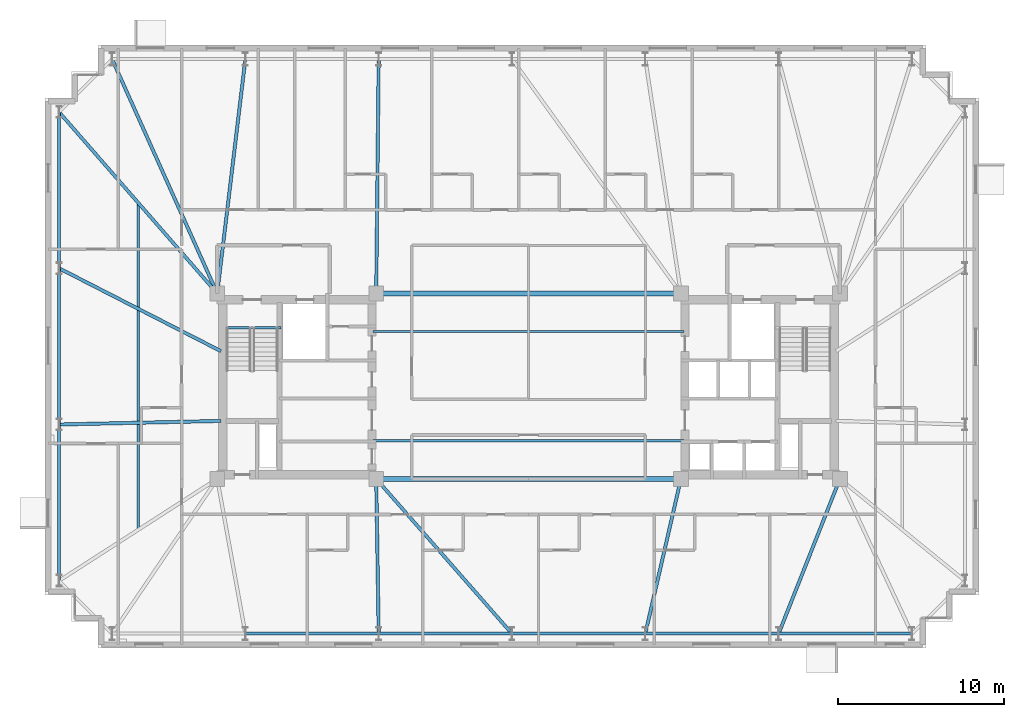
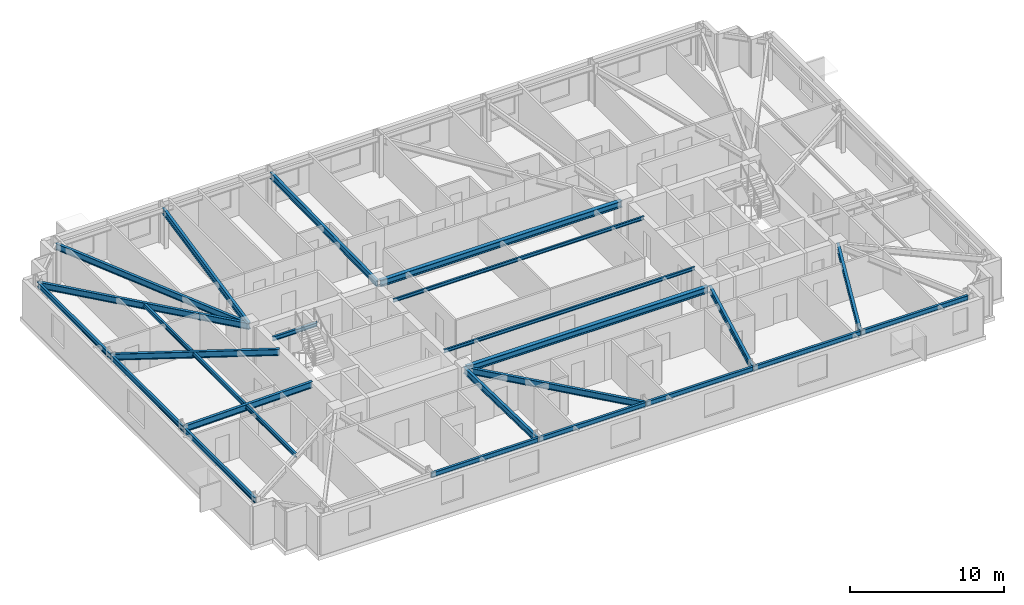
# One storey, part 4 of 17: 24 beams.
"""IFC4 building model written with IfcOpenShell, lengths in metres."""

from ifc_helpers import new_model, si_unit, direction, frame, origin, origin_2d, place, context, subcontext, project, spatial, i_section, extrude, material, material_profile, profile_set, type_object, element, save


model = new_model("IFC4")

# Units and contexts
model_context = context("Model", 3, precision=1e-05, world=origin(), true_north=direction((0.0, 1.0)))
body_context = subcontext(model_context, "Body", "Model", "MODEL_VIEW")
ifc_project = project(units=[si_unit("LENGTHUNIT", "METRE"), si_unit("AREAUNIT", "SQUARE_METRE"), si_unit("VOLUMEUNIT", "CUBIC_METRE"), si_unit("PLANEANGLEUNIT", "RADIAN"), si_unit("MASSUNIT", "GRAM", prefix="KILO")], contexts=[model_context])

# Site, building, storey
site_placement = place(None, origin())
site = spatial("IfcSite", under=ifc_project, at=site_placement, CompositionType="ELEMENT")
building_placement = place(site_placement, origin())
building = spatial("IfcBuilding", under=site, at=building_placement, Name="Qobustan Lattice House", CompositionType="ELEMENT")
storey_placement = place(building_placement, frame((0.0, 0.0, 144.39990234375)))
storey = spatial("IfcBuildingStorey", under=building, at=storey_placement, Name="L40", CompositionType="ELEMENT", Elevation=144.39990234375)

# Beams
ifc_material_1 = material(Name="Steel S355", Category="steel")
ifc_material_profile_1 = material_profile(ifc_material_1, i_section(OverallWidth=0.300048828125, OverallDepth=0.5, WebThickness=0.014404296875, FlangeThickness=0.028076171875, FilletRadius=0.027099609375, at=origin_2d()), Name="HEB500")
ifc_profile_set_1 = profile_set([ifc_material_profile_1], Name="Steel S355")
beam_type_1 = type_object("IfcBeamType", Name="BM-CG-HEB500", PredefinedType="USERDEFINED", material=ifc_profile_set_1)
for number, where, z_axis, x_axis, name in (
    (1, (-9.050048828125, -5.60009765625, 2.7900390625), (1.0, 0.0, 0.0), (0.0, 1.0, 0.0), "L40 core spine girder CG-CS"),
    (2, (-9.050048828125, 5.60009765625, 2.7900390625), (1.0, 0.0, 0.0), (0.0, 1.0, 0.0), "L40 core spine girder CG-CN"),
):
    element("IfcBeam", number, at=place(storey_placement, frame(where, z_axis=z_axis, x_axis=x_axis)), inside=storey, type_object=beam_type_1, Name=name, ObjectType="GIRDER", PredefinedType="USERDEFINED", context=body_context, shape_type="SweptSolid", body=[
        extrude(i_section(OverallWidth=0.300048828125, OverallDepth=0.5, WebThickness=0.014404296875, FlangeThickness=0.028076171875, FilletRadius=0.027099609375, at=origin_2d()), origin(), (0.0, 0.0, 1.0), 18.10009765625),
    ])
ifc_material_2 = material(Name="Steel S355", Category="steel")
ifc_material_profile_2 = material_profile(ifc_material_2, i_section(OverallWidth=0.199951171875, OverallDepth=0.5, WebThickness=0.01025390625, FlangeThickness=0.01611328125, FilletRadius=0.02099609375, at=origin_2d()), Name="IPE500")
ifc_profile_set_2 = profile_set([ifc_material_profile_2], Name="Steel S355")
beam_type_2 = type_object("IfcBeamType", Name="BM-FLG-IPE500", PredefinedType="USERDEFINED", material=ifc_profile_set_2)
beam_1_placement = place(storey_placement, frame((-9.05029296875, -14.925048828125, 2.7900390625), z_axis=(-0.016063870849, 0.999870967702, 0.0), x_axis=(-0.999870967702, -0.016063870849, 0.0)))
element("IfcBeam", 3, at=beam_1_placement, inside=storey, type_object=beam_type_2, Name="L40 primary floor girder RAD-S3", ObjectType="GIRDER", PredefinedType="USERDEFINED", context=body_context, shape_type="SweptSolid", body=[
    extrude(i_section(OverallWidth=0.199951171875, OverallDepth=0.5, WebThickness=0.01025390625, FlangeThickness=0.01611328125, FilletRadius=0.02099609375, at=origin_2d()), origin(), (0.0, 0.0, 1.0), 9.30126953125),
])
beam_2_placement = place(storey_placement, frame((-1.0166015625, -14.93115234375, 2.7900390625), z_axis=(-0.659362380156, 0.751825279992, 0.0), x_axis=(-0.751825279992, -0.659362380156, 0.0)))
element("IfcBeam", 4, at=beam_2_placement, inside=storey, type_object=beam_type_2, Name="L40 primary floor girder RAD-S4", ObjectType="GIRDER", PredefinedType="USERDEFINED", context=body_context, shape_type="SweptSolid", body=[
    extrude(i_section(OverallWidth=0.199951171875, OverallDepth=0.5, WebThickness=0.01025390625, FlangeThickness=0.01611328125, FilletRadius=0.02099609375, at=origin_2d()), origin(), (0.0, 0.0, 1.0), 12.38623046875),
])
beam_3_placement = place(storey_placement, frame((7.0556640625, -14.925537109375, 2.7900390625), z_axis=(0.224091568854, 0.974568093449, 0.0), x_axis=(-0.974568093449, 0.224091568854, 0.0)))
element("IfcBeam", 5, at=beam_3_placement, inside=storey, type_object=beam_type_2, Name="L40 primary floor girder RAD-S5", ObjectType="GIRDER", PredefinedType="USERDEFINED", context=body_context, shape_type="SweptSolid", body=[
    extrude(i_section(OverallWidth=0.199951171875, OverallDepth=0.5, WebThickness=0.01025390625, FlangeThickness=0.01611328125, FilletRadius=0.02099609375, at=origin_2d()), origin(), (0.0, 0.0, 1.0), 9.543701171875),
])
beam_4_placement = place(storey_placement, frame((15.109130859375, -14.9267578125, 2.7900390625), z_axis=(0.367963628184, 0.929840184297, 0.0), x_axis=(-0.929840184297, 0.367963628184, 0.0)))
element("IfcBeam", 6, at=beam_4_placement, inside=storey, type_object=beam_type_2, Name="L40 primary floor girder RAD-S6", ObjectType="GIRDER", PredefinedType="USERDEFINED", context=body_context, shape_type="SweptSolid", body=[
    extrude(i_section(OverallWidth=0.199951171875, OverallDepth=0.5, WebThickness=0.01025390625, FlangeThickness=0.01611328125, FilletRadius=0.02099609375, at=origin_2d()), origin(), (0.0, 0.0, 1.0), 10.00537109375),
])
beam_5_placement = place(storey_placement, frame((-25.139892578125, 19.727294921875, 2.7900390625), z_axis=(0.409426782108, -0.912342978321, 0.0), x_axis=(0.912342978321, 0.409426782108, 0.0)))
element("IfcBeam", 7, at=beam_5_placement, inside=storey, type_object=beam_type_2, Name="L40 primary floor girder RAD-N7W", ObjectType="GIRDER", PredefinedType="USERDEFINED", context=body_context, shape_type="SweptSolid", body=[
    extrude(i_section(OverallWidth=0.199951171875, OverallDepth=0.5, WebThickness=0.01025390625, FlangeThickness=0.01611328125, FilletRadius=0.02099609375, at=origin_2d()), origin(), (0.0, 0.0, 1.0), 15.459716796875),
])
beam_6_placement = place(storey_placement, frame((-17.10302734375, 19.72509765625, 2.7900390625), z_axis=(-0.119287572963, -0.992859745854, 0.0), x_axis=(0.992859745854, -0.119287572963, 0.0)))
element("IfcBeam", 8, at=beam_6_placement, inside=storey, type_object=beam_type_2, Name="L40 primary floor girder RAD-N6", ObjectType="GIRDER", PredefinedType="USERDEFINED", context=body_context, shape_type="SweptSolid", body=[
    extrude(i_section(OverallWidth=0.199951171875, OverallDepth=0.5, WebThickness=0.01025390625, FlangeThickness=0.01611328125, FilletRadius=0.02099609375, at=origin_2d()), origin(), (0.0, 0.0, 1.0), 14.20166015625),
])
beam_7_placement = place(storey_placement, frame((-9.05029296875, 19.72509765625, 2.7900390625), z_axis=(-0.010596073732, -0.999943860035, 0.0), x_axis=(0.999943860035, -0.010596073732, 0.0)))
element("IfcBeam", 9, at=beam_7_placement, inside=storey, type_object=beam_type_2, Name="L40 primary floor girder RAD-N5", ObjectType="GIRDER", PredefinedType="USERDEFINED", context=body_context, shape_type="SweptSolid", body=[
    extrude(i_section(OverallWidth=0.199951171875, OverallDepth=0.5, WebThickness=0.01025390625, FlangeThickness=0.01611328125, FilletRadius=0.02099609375, at=origin_2d()), origin(), (0.0, 0.0, 1.0), 14.100830078125),
])
beam_8_placement = place(storey_placement, frame((-28.33349609375, 16.53125, 2.7900390625), z_axis=(0.657282573618, -0.75364422536, 0.0), x_axis=(0.75364422536, 0.657282573618, 0.0)))
element("IfcBeam", 10, at=beam_8_placement, inside=storey, type_object=beam_type_2, Name="L40 primary floor girder RAD-W1", ObjectType="GIRDER", PredefinedType="USERDEFINED", context=body_context, shape_type="SweptSolid", body=[
    extrude(i_section(OverallWidth=0.199951171875, OverallDepth=0.5, WebThickness=0.01025390625, FlangeThickness=0.01611328125, FilletRadius=0.02099609375, at=origin_2d()), origin(), (0.0, 0.0, 1.0), 14.4794921875),
])
beam_9_placement = place(storey_placement, frame((-28.32763671875, 7.105224609375, 2.7900390625), z_axis=(0.89014541584, -0.455676572426, 0.0), x_axis=(0.455676572426, 0.89014541584, 0.0)))
element("IfcBeam", 11, at=beam_9_placement, inside=storey, type_object=beam_type_2, Name="L40 primary floor girder RAD-W2", ObjectType="GIRDER", PredefinedType="USERDEFINED", context=body_context, shape_type="SweptSolid", body=[
    extrude(i_section(OverallWidth=0.199951171875, OverallDepth=0.5, WebThickness=0.01025390625, FlangeThickness=0.01611328125, FilletRadius=0.02099609375, at=origin_2d()), origin(), (0.0, 0.0, 1.0), 10.959228515625),
])
beam_10_placement = place(storey_placement, frame((-28.324951171875, -2.316162109375, 2.7900390625), z_axis=(0.999755655209, 0.022104974047, 0.0), x_axis=(-0.022104974047, 0.999755655209, 0.0)))
element("IfcBeam", 12, at=beam_10_placement, inside=storey, type_object=beam_type_2, Name="L40 primary floor girder RAD-W3", ObjectType="GIRDER", PredefinedType="USERDEFINED", context=body_context, shape_type="SweptSolid", body=[
    extrude(i_section(OverallWidth=0.199951171875, OverallDepth=0.5, WebThickness=0.01025390625, FlangeThickness=0.01611328125, FilletRadius=0.02099609375, at=origin_2d()), origin(), (0.0, 0.0, 1.0), 9.75244140625),
])
ifc_material_3 = material(Name="Steel S355", Category="steel")
ifc_material_profile_3 = material_profile(ifc_material_3, i_section(OverallWidth=0.135009765625, OverallDepth=0.27001953125, WebThickness=0.006591796875, FlangeThickness=0.01025390625, FilletRadius=0.014892578125, at=origin_2d()), Name="IPE270")
ifc_profile_set_3 = profile_set([ifc_material_profile_3], Name="Steel S355")
beam_type_3 = type_object("IfcBeamType", Name="BM-JST-IPE270", PredefinedType="JOIST", material=ifc_profile_set_3)
for number, where, z_axis, x_axis, name in (
    (13, (-9.39990234375, -3.300048828125, 2.905029296875), (1.0, 0.0, 0.0), (0.0, 1.0, 0.0), "L40 central span floor joist 1"),
    (14, (-9.39990234375, 3.300048828125, 2.905029296875), (1.0, 0.0, 0.0), (0.0, 1.0, 0.0), "L40 central span floor joist 2"),
):
    element("IfcBeam", number, at=place(storey_placement, frame(where, z_axis=z_axis, x_axis=x_axis)), inside=storey, type_object=beam_type_3, Name=name, PredefinedType="JOIST", context=body_context, shape_type="SweptSolid", body=[
        extrude(i_section(OverallWidth=0.135009765625, OverallDepth=0.27001953125, WebThickness=0.006591796875, FlangeThickness=0.01025390625, FilletRadius=0.014892578125, at=origin_2d()), origin(), (0.0, 0.0, 1.0), 18.7998046875),
    ])
ifc_material_4 = material(Name="Steel S355", Category="steel")
ifc_material_profile_4 = material_profile(ifc_material_4, i_section(OverallWidth=0.159912109375, OverallDepth=0.330078125, WebThickness=0.007568359375, FlangeThickness=0.011474609375, FilletRadius=0.01806640625, at=origin_2d()), Name="IPE330")
ifc_profile_set_4 = profile_set([ifc_material_profile_4], Name="Steel S355")
beam_type_4 = type_object("IfcBeamType", Name="BM-SEC-IPE330", PredefinedType="BEAM", material=ifc_profile_set_4)
beam_11_placement = place(storey_placement, frame((-23.574951171875, 11.074951171875, 2.875), z_axis=(0.0, -1.0, 0.0), x_axis=(1.0, 0.0, 0.0)))
element("IfcBeam", 15, at=beam_11_placement, inside=storey, type_object=beam_type_4, Name="L40 west wing secondary beam", PredefinedType="BEAM", context=body_context, shape_type="SweptSolid", body=[
    extrude(i_section(OverallWidth=0.159912109375, OverallDepth=0.330078125, WebThickness=0.007568359375, FlangeThickness=0.011474609375, FilletRadius=0.01806640625, at=origin_2d()), origin(), (0.0, 0.0, 1.0), 19.75),
])
ifc_material_5 = material(Name="Steel S355", Category="steel")
ifc_material_profile_5 = material_profile(ifc_material_5, i_section(OverallWidth=0.159912109375, OverallDepth=0.330078125, WebThickness=0.007568359375, FlangeThickness=0.011474609375, FilletRadius=0.01806640625, at=origin_2d()), Name="IPE330")
ifc_profile_set_5 = profile_set([ifc_material_profile_5], Name="Steel S355")
beam_type_5 = type_object("IfcBeamType", Name="BM-SPD-IPE330", PredefinedType="SPANDREL", material=ifc_profile_set_5)
beam_12_placement = place(storey_placement, frame((-18.300048828125, 3.52001953125, 2.875), z_axis=(1.0, 0.0, 0.0), x_axis=(0.0, 1.0, 0.0)))
element("IfcBeam", 16, at=beam_12_placement, inside=storey, type_object=beam_type_5, Name="L40 west stair landing trimmer beam", PredefinedType="SPANDREL", context=body_context, shape_type="SweptSolid", body=[
    extrude(i_section(OverallWidth=0.159912109375, OverallDepth=0.330078125, WebThickness=0.007568359375, FlangeThickness=0.011474609375, FilletRadius=0.01806640625, at=origin_2d()), origin(), (0.0, 0.0, 1.0), 3.35009765625),
])
ifc_material_6 = material(Name="Steel S355", Category="steel")
ifc_material_profile_6 = material_profile(ifc_material_6, i_section(OverallWidth=0.179931640625, OverallDepth=0.39990234375, WebThickness=0.008544921875, FlangeThickness=0.013427734375, FilletRadius=0.02099609375, at=origin_2d()), Name="IPE400")
ifc_profile_set_6 = profile_set([ifc_material_profile_6], Name="Steel S355")
beam_type_6 = type_object("IfcBeamType", Name="BM-SPD-IPE400", PredefinedType="SPANDREL", material=ifc_profile_set_6)
for number, where, z_axis, x_axis, name in (
    (17, (-17.074951171875, -14.949951171875, 2.840087890625), (1.0, 0.0, 0.0), (0.0, 1.0, 0.0), "L40 perimeter spandrel S2-S3"),
    (18, (-9.02490234375, -14.949951171875, 2.840087890625), (1.0, 0.0, 0.0), (0.0, 1.0, 0.0), "L40 perimeter spandrel S3-S4"),
    (19, (-0.97509765625, -14.949951171875, 2.840087890625), (1.0, 0.0, 0.0), (0.0, 1.0, 0.0), "L40 perimeter spandrel S4-S5"),
    (20, (7.074951171875, -14.949951171875, 2.840087890625), (1.0, 0.0, 0.0), (0.0, 1.0, 0.0), "L40 perimeter spandrel S5-S6"),
    (21, (15.125, -14.949951171875, 2.840087890625), (1.0, 0.0, 0.0), (0.0, 1.0, 0.0), "L40 perimeter spandrel S6-S7"),
):
    element("IfcBeam", number, at=place(storey_placement, frame(where, z_axis=z_axis, x_axis=x_axis)), inside=storey, type_object=beam_type_6, Name=name, PredefinedType="SPANDREL", context=body_context, shape_type="SweptSolid", body=[
        extrude(i_section(OverallWidth=0.179931640625, OverallDepth=0.39990234375, WebThickness=0.008544921875, FlangeThickness=0.013427734375, FilletRadius=0.02099609375, at=origin_2d()), origin(), (0.0, 0.0, 1.0), 8.0),
    ])
beam_13_placement = place(storey_placement, frame((-28.35009765625, 16.52490234375, 2.840087890625), z_axis=(0.0, -1.0, 0.0), x_axis=(1.0, 0.0, 0.0)))
element("IfcBeam", 22, at=beam_13_placement, inside=storey, type_object=beam_type_6, Name="L40 perimeter spandrel W1-W2", PredefinedType="SPANDREL", context=body_context, shape_type="SweptSolid", body=[
    extrude(i_section(OverallWidth=0.179931640625, OverallDepth=0.39990234375, WebThickness=0.008544921875, FlangeThickness=0.013427734375, FilletRadius=0.02099609375, at=origin_2d()), origin(), (0.0, 0.0, 1.0), 9.38330078125),
])
beam_14_placement = place(storey_placement, frame((-28.35009765625, 7.091796875, 2.840087890625), z_axis=(0.0, -1.0, 0.0), x_axis=(1.0, 0.0, 0.0)))
element("IfcBeam", 23, at=beam_14_placement, inside=storey, type_object=beam_type_6, Name="L40 perimeter spandrel W2-W3", PredefinedType="SPANDREL", context=body_context, shape_type="SweptSolid", body=[
    extrude(i_section(OverallWidth=0.179931640625, OverallDepth=0.39990234375, WebThickness=0.008544921875, FlangeThickness=0.013427734375, FilletRadius=0.02099609375, at=origin_2d()), origin(), (0.0, 0.0, 1.0), 9.383544921875),
])
beam_15_placement = place(storey_placement, frame((-28.35009765625, -2.341796875, 2.840087890625), z_axis=(0.0, -1.0, 0.0), x_axis=(1.0, 0.0, 0.0)))
element("IfcBeam", 24, at=beam_15_placement, inside=storey, type_object=beam_type_6, Name="L40 perimeter spandrel W3-W4", PredefinedType="SPANDREL", context=body_context, shape_type="SweptSolid", body=[
    extrude(i_section(OverallWidth=0.179931640625, OverallDepth=0.39990234375, WebThickness=0.008544921875, FlangeThickness=0.013427734375, FilletRadius=0.02099609375, at=origin_2d()), origin(), (0.0, 0.0, 1.0), 9.38330078125),
])

save(model, "model.ifc")
